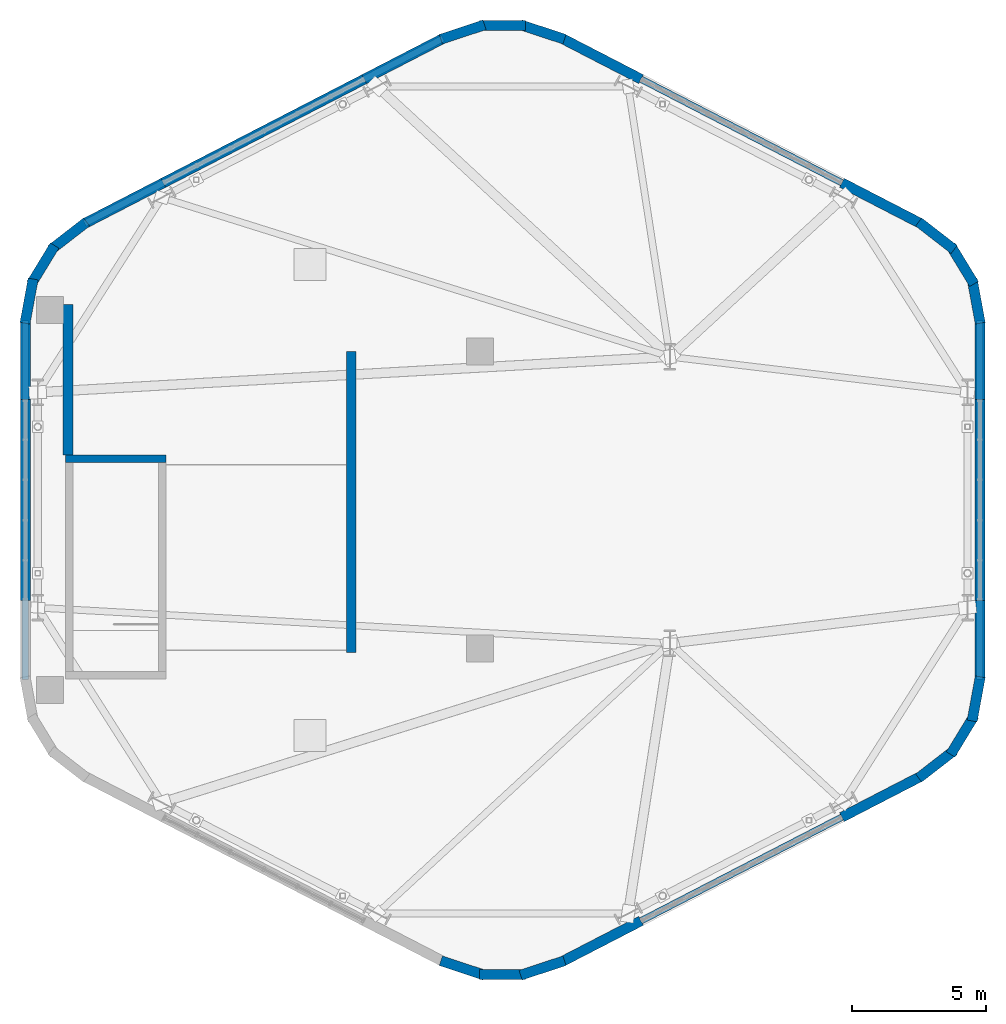
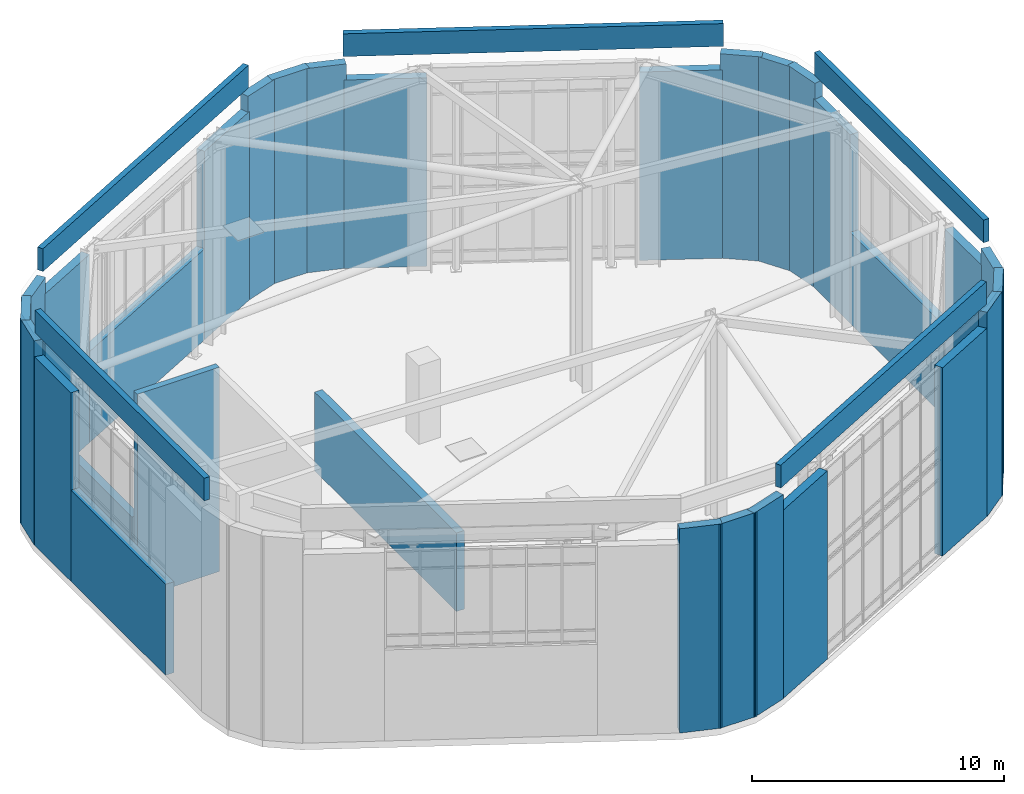
# One storey, part 22 of 23: 35 walls.
"""IFC4 building model written with IfcOpenShell, lengths in metres."""

from ifc_helpers import new_model, si_unit, direction, frame, frame_2d, origin, place, context, subcontext, project, spatial, rectangle, extrude, material, layer, layer_set, type_object, element, save


model = new_model("IFC4")

# Units and contexts
model_context = context("Model", 3, precision=1e-05, world=origin(), true_north=direction((0.0, 1.0)))
body_context = subcontext(model_context, "Body", "Model", "MODEL_VIEW")
ifc_project = project(units=[si_unit("LENGTHUNIT", "METRE"), si_unit("AREAUNIT", "SQUARE_METRE"), si_unit("VOLUMEUNIT", "CUBIC_METRE"), si_unit("PLANEANGLEUNIT", "RADIAN"), si_unit("MASSUNIT", "GRAM", prefix="KILO"), si_unit("THERMODYNAMICTEMPERATUREUNIT", "KELVIN"), si_unit("POWERUNIT", "WATT")], contexts=[model_context])

# Site, building, storey
site_placement = place(None, origin())
site = spatial("IfcSite", under=ifc_project, at=site_placement, CompositionType="ELEMENT")
building_placement = place(site_placement, origin())
building = spatial("IfcBuilding", under=site, at=building_placement, Name="Skarre Station Tower", CompositionType="ELEMENT")
storey_placement = place(building_placement, frame((0.0, 0.0, 291.300048828125)))
storey = spatial("IfcBuildingStorey", under=building, at=storey_placement, Name="RF", CompositionType="ELEMENT", Elevation=291.300048828125)

# Walls
ifc_material_1 = material(Name="Precast concrete C40/50", Category="concrete")
ifc_layer_1 = layer(ifc_material_1, 0.25, Name="Precast concrete C40/50")
ifc_layer_set_1 = layer_set([ifc_layer_1], Name="Precast concrete C40/50")
wall_type_1 = type_object("IfcWallType", Name="Insulated Precast Roof Parapet 250", PredefinedType="PARAPET", material=ifc_layer_set_1)
for number, where, z_axis, x_axis, name in (
    (1, (35.4208984375, 41.239013671875, 10.199951171875), (0.0, 0.0, 1.0), (0.888584888954, -0.458712213837, 0.0), "RF Crown Cap Roof Parapet F0 TOP +302.600"),
    (2, (17.58203125, 34.322998046875, 10.199951171875), (0.0, 0.0, 1.0), (0.888581481622, 0.458718814218, 0.0), "RF Crown Cap Roof Parapet F1 TOP +302.600"),
):
    element("IfcWall", number, at=place(storey_placement, frame(where, z_axis=z_axis, x_axis=x_axis)), inside=storey, type_object=wall_type_1, Name=name, PredefinedType="PARAPET", context=body_context, shape_type="SweptSolid", body=[
        extrude(rectangle(XDim=15.076904296875, YDim=0.25, at=frame_2d((7.53857421875, 0.0))), origin(), (0.0, 0.0, 1.0), 1.10009765625),
    ])
wall_1_placement = place(storey_placement, frame((15.376953125, 17.298095703125, 10.199951171875), z_axis=(0.0, 0.0, 1.0), x_axis=(0.0, 1.0, 0.0)))
element("IfcWall", 3, at=wall_1_placement, inside=storey, type_object=wall_type_1, Name="RF Crown Cap Roof Parapet F2 TOP +302.600", PredefinedType="PARAPET", context=body_context, shape_type="SweptSolid", body=[
    extrude(rectangle(XDim=13.40380859375, YDim=0.25, at=frame_2d((6.701904296875, 0.0))), origin(), (0.0, 0.0, 1.0), 1.10009765625),
])
wall_2_placement = place(storey_placement, frame((48.818115234375, 13.677001953125, 10.199951171875), z_axis=(0.0, 0.0, 1.0), x_axis=(-0.888584888954, -0.458712213837, 0.0)))
element("IfcWall", 4, at=wall_2_placement, inside=storey, type_object=wall_type_1, Name="RF Crown Cap Roof Parapet F4 TOP +302.600", PredefinedType="PARAPET", context=body_context, shape_type="SweptSolid", body=[
    extrude(rectangle(XDim=15.076904296875, YDim=0.25, at=frame_2d((7.53857421875, 0.0))), origin(), (0.0, 0.0, 1.0), 1.10009765625),
])
wall_3_placement = place(storey_placement, frame((51.02294921875, 30.701904296875, 10.199951171875), z_axis=(0.0, 0.0, 1.0), x_axis=(0.0, -1.0, 0.0)))
element("IfcWall", 5, at=wall_3_placement, inside=storey, type_object=wall_type_1, Name="RF Crown Cap Roof Parapet F5 TOP +302.600", PredefinedType="PARAPET", context=body_context, shape_type="SweptSolid", body=[
    extrude(rectangle(XDim=13.40380859375, YDim=0.25, at=frame_2d((6.701904296875, 0.0))), origin(), (0.0, 0.0, 1.0), 1.10009765625),
])
ifc_material_2 = material(Name="Precast concrete C50/60", Category="concrete")
ifc_layer_2 = layer(ifc_material_2, 0.3798828125, Name="Precast concrete C50/60")
ifc_layer_set_2 = layer_set([ifc_layer_2], Name="Precast concrete C50/60")
wall_type_2 = type_object("IfcWallType", Name="Nordic Pale Granite Crown Pier Wall 380", PredefinedType="STANDARD", material=ifc_layer_set_2)
for number, where, z_axis, x_axis, name in (
    (6, (35.4208984375, 41.239013671875, 0.0), (0.0, 0.0, 1.0), (0.888506439337, -0.458864149021, 0.0), "RF Crown Lantern Granite Pier F0A"),
    (7, (45.87109375, 35.844970703125, 0.0), (0.0, 0.0, 1.0), (0.888506439337, -0.458864149021, 0.0), "RF Crown Lantern Granite Pier F0B"),
):
    element("IfcWall", number, at=place(storey_placement, frame(where, z_axis=z_axis, x_axis=x_axis)), inside=storey, type_object=wall_type_2, Name=name, PredefinedType="STANDARD", context=body_context, shape_type="SweptSolid", body=[
        extrude(rectangle(XDim=3.31689453125, YDim=0.3798828125, at=frame_2d((1.658447265625, 0.0))), origin(), (0.0, 0.0, 1.0), 9.10986328125),
    ])
wall_4_placement = place(storey_placement, frame((48.737060546875, 34.382080078125, 0.0), z_axis=(0.0, 0.0, 1.0), x_axis=(0.790557752725, -0.612387491386, 0.0)))
element("IfcWall", 8, at=wall_4_placement, inside=storey, type_object=wall_type_2, Name="RF Crown Lantern Corner Pier F0-1", PredefinedType="STANDARD", context=body_context, shape_type="SweptSolid", body=[
    extrude(rectangle(XDim=1.67724609375, YDim=0.3798828125, at=frame_2d((0.838623046875, 0.0))), origin(), (0.0, 0.0, 1.0), 9.8798828125),
])
wall_5_placement = place(storey_placement, frame((49.931884765625, 33.501953125, 0.0), z_axis=(0.0, 0.0, 1.0), x_axis=(0.520325409202, -0.853968072318, 0.0)))
element("IfcWall", 9, at=wall_5_placement, inside=storey, type_object=wall_type_2, Name="RF Crown Lantern Corner Pier F0-2", PredefinedType="STANDARD", context=body_context, shape_type="SweptSolid", body=[
    extrude(rectangle(XDim=1.677978515625, YDim=0.3798828125, at=frame_2d((0.8388671875, 0.0))), origin(), (0.0, 0.0, 1.0), 9.8798828125),
])
wall_6_placement = place(storey_placement, frame((50.73388671875, 32.2529296875, 0.0), z_axis=(0.0, 0.0, 1.0), x_axis=(0.181421837137, -0.983405367593, 0.0)))
element("IfcWall", 10, at=wall_6_placement, inside=storey, type_object=wall_type_2, Name="RF Crown Lantern Corner Pier F0-3", PredefinedType="STANDARD", context=body_context, shape_type="SweptSolid", body=[
    extrude(rectangle(XDim=1.6767578125, YDim=0.3798828125, at=frame_2d((0.83837890625, 0.0))), origin(), (0.0, 0.0, 1.0), 9.8798828125),
])
for number, where, z_axis, x_axis, name in (
    (11, (17.58203125, 34.322998046875, 0.0), (0.0, 0.0, 1.0), (0.888506439337, 0.458864149021, 0.0), "RF Crown Lantern Granite Pier F1A"),
    (12, (28.031982421875, 39.717041015625, 0.0), (0.0, 0.0, 1.0), (0.888506439337, 0.458864149021, 0.0), "RF Crown Lantern Granite Pier F1B"),
):
    element("IfcWall", number, at=place(storey_placement, frame(where, z_axis=z_axis, x_axis=x_axis)), inside=storey, type_object=wall_type_2, Name=name, PredefinedType="STANDARD", context=body_context, shape_type="SweptSolid", body=[
        extrude(rectangle(XDim=3.31689453125, YDim=0.3798828125, at=frame_2d((1.658447265625, 0.0))), origin(), (0.0, 0.0, 1.0), 9.10986328125),
    ])
wall_7_placement = place(storey_placement, frame((20.529052734375, 35.844970703125, 0.0), z_axis=(0.0, 0.0, 1.0), x_axis=(0.888640424469, 0.458604618381, 0.0)))
element("IfcWall", 13, at=wall_7_placement, inside=storey, type_object=wall_type_2, Name="RF Crown Lantern Spandrel Wall F1", PredefinedType="STANDARD", context=body_context, shape_type="SweptSolid", body=[
    extrude(rectangle(XDim=8.443115234375, YDim=0.3798828125, at=frame_2d((4.2216796875, 0.0))), origin(), (0.0, 0.0, 1.0), 4.39990234375),
])
wall_8_placement = place(storey_placement, frame((30.889892578125, 41.20703125, 0.0), z_axis=(0.0, 0.0, 1.0), x_axis=(0.949713440491, 0.313120393699, 0.0)))
element("IfcWall", 14, at=wall_8_placement, inside=storey, type_object=wall_type_2, Name="RF Crown Lantern Corner Pier F1-1", PredefinedType="STANDARD", context=body_context, shape_type="SweptSolid", body=[
    extrude(rectangle(XDim=1.7216796875, YDim=0.3798828125, at=frame_2d((0.86083984375, 0.0))), origin(), (0.0, 0.0, 1.0), 9.8798828125),
])
wall_9_placement = place(storey_placement, frame((32.339111328125, 41.716064453125, 0.0), z_axis=(0.0, 0.0, 1.0), x_axis=(1.0, 0.0, 0.0)))
element("IfcWall", 15, at=wall_9_placement, inside=storey, type_object=wall_type_2, Name="RF Crown Lantern Corner Pier F1-2", PredefinedType="STANDARD", context=body_context, shape_type="SweptSolid", body=[
    extrude(rectangle(XDim=1.721923828125, YDim=0.3798828125, at=frame_2d((0.86083984375, 0.0))), origin(), (0.0, 0.0, 1.0), 9.8798828125),
])
wall_10_placement = place(storey_placement, frame((33.875, 41.74609375, 0.0), z_axis=(0.0, 0.0, 1.0), x_axis=(0.949713440491, -0.313120393699, 0.0)))
element("IfcWall", 16, at=wall_10_placement, inside=storey, type_object=wall_type_2, Name="RF Crown Lantern Corner Pier F1-3", PredefinedType="STANDARD", context=body_context, shape_type="SweptSolid", body=[
    extrude(rectangle(XDim=1.7216796875, YDim=0.3798828125, at=frame_2d((0.86083984375, 0.0))), origin(), (0.0, 0.0, 1.0), 9.8798828125),
])
wall_11_placement = place(storey_placement, frame((15.376953125, 27.7529296875, 0.0), z_axis=(0.0, 0.0, 1.0), x_axis=(0.0, 1.0, 0.0)))
element("IfcWall", 17, at=wall_11_placement, inside=storey, type_object=wall_type_2, Name="RF Crown Lantern Granite Pier F2B", PredefinedType="STANDARD", context=body_context, shape_type="SweptSolid", body=[
    extrude(rectangle(XDim=2.948974609375, YDim=0.3798828125, at=frame_2d((1.474609375, 0.0))), origin(), (0.0, 0.0, 1.0), 9.10986328125),
])
wall_12_placement = place(storey_placement, frame((15.376953125, 20.2470703125, 0.0), z_axis=(0.0, 0.0, 1.0), x_axis=(0.0, 1.0, 0.0)))
element("IfcWall", 18, at=wall_12_placement, inside=storey, type_object=wall_type_2, Name="RF Crown Lantern Spandrel Wall F2", PredefinedType="STANDARD", context=body_context, shape_type="SweptSolid", body=[
    extrude(rectangle(XDim=7.505859375, YDim=0.3798828125, at=frame_2d((3.7529296875, 0.0))), origin(), (0.0, 0.0, 1.0), 4.39990234375),
])
wall_13_placement = place(storey_placement, frame((15.362060546875, 30.60400390625, 0.0), z_axis=(0.0, 0.0, 1.0), x_axis=(0.181281020531, 0.983431335476, 0.0)))
element("IfcWall", 19, at=wall_13_placement, inside=storey, type_object=wall_type_2, Name="RF Crown Lantern Corner Pier F2-1", PredefinedType="STANDARD", context=body_context, shape_type="SweptSolid", body=[
    extrude(rectangle(XDim=1.6767578125, YDim=0.3798828125, at=frame_2d((0.83837890625, 0.0))), origin(), (0.0, 0.0, 1.0), 9.8798828125),
])
wall_14_placement = place(storey_placement, frame((15.594970703125, 32.069091796875, 0.0), z_axis=(0.0, 0.0, 1.0), x_axis=(0.520325409202, 0.853968072318, 0.0)))
element("IfcWall", 20, at=wall_14_placement, inside=storey, type_object=wall_type_2, Name="RF Crown Lantern Corner Pier F2-2", PredefinedType="STANDARD", context=body_context, shape_type="SweptSolid", body=[
    extrude(rectangle(XDim=1.677978515625, YDim=0.3798828125, at=frame_2d((0.8388671875, 0.0))), origin(), (0.0, 0.0, 1.0), 9.8798828125),
])
wall_15_placement = place(storey_placement, frame((16.3369140625, 33.35498046875, 0.0), z_axis=(0.0, 0.0, 1.0), x_axis=(0.790612332465, 0.61231702553, 0.0)))
element("IfcWall", 21, at=wall_15_placement, inside=storey, type_object=wall_type_2, Name="RF Crown Lantern Corner Pier F2-3", PredefinedType="STANDARD", context=body_context, shape_type="SweptSolid", body=[
    extrude(rectangle(XDim=1.677490234375, YDim=0.3798828125, at=frame_2d((0.8388671875, 0.0))), origin(), (0.0, 0.0, 1.0), 9.8798828125),
])
for number, where, z_axis, x_axis, name in (
    (22, (48.818115234375, 13.677001953125, 0.0), (0.0, 0.0, 1.0), (-0.888506439337, -0.458864149021, 0.0), "RF Crown Lantern Granite Pier F4A"),
    (23, (38.367919921875, 8.282958984375, 0.0), (0.0, 0.0, 1.0), (-0.888506439337, -0.458864149021, 0.0), "RF Crown Lantern Granite Pier F4B"),
):
    element("IfcWall", number, at=place(storey_placement, frame(where, z_axis=z_axis, x_axis=x_axis)), inside=storey, type_object=wall_type_2, Name=name, PredefinedType="STANDARD", context=body_context, shape_type="SweptSolid", body=[
        extrude(rectangle(XDim=3.31689453125, YDim=0.3798828125, at=frame_2d((1.658447265625, 0.0))), origin(), (0.0, 0.0, 1.0), 9.10986328125),
    ])
wall_16_placement = place(storey_placement, frame((35.510009765625, 6.79296875, 0.0), z_axis=(0.0, 0.0, 1.0), x_axis=(-0.949713440491, -0.313120393699, 0.0)))
element("IfcWall", 24, at=wall_16_placement, inside=storey, type_object=wall_type_2, Name="RF Crown Lantern Corner Pier F4-1", PredefinedType="STANDARD", context=body_context, shape_type="SweptSolid", body=[
    extrude(rectangle(XDim=1.7216796875, YDim=0.3798828125, at=frame_2d((0.86083984375, 0.0))), origin(), (0.0, 0.0, 1.0), 9.8798828125),
])
wall_17_placement = place(storey_placement, frame((34.06103515625, 6.283935546875, 0.0), z_axis=(0.0, 0.0, 1.0), x_axis=(-1.0, 0.0, 0.0)))
element("IfcWall", 25, at=wall_17_placement, inside=storey, type_object=wall_type_2, Name="RF Crown Lantern Corner Pier F4-2", PredefinedType="STANDARD", context=body_context, shape_type="SweptSolid", body=[
    extrude(rectangle(XDim=1.721923828125, YDim=0.3798828125, at=frame_2d((0.86083984375, 0.0))), origin(), (0.0, 0.0, 1.0), 9.8798828125),
])
wall_18_placement = place(storey_placement, frame((32.52490234375, 6.25390625, 0.0), z_axis=(0.0, 0.0, 1.0), x_axis=(-0.949713440491, 0.313120393699, 0.0)))
element("IfcWall", 26, at=wall_18_placement, inside=storey, type_object=wall_type_2, Name="RF Crown Lantern Corner Pier F4-3", PredefinedType="STANDARD", context=body_context, shape_type="SweptSolid", body=[
    extrude(rectangle(XDim=1.7216796875, YDim=0.3798828125, at=frame_2d((0.86083984375, 0.0))), origin(), (0.0, 0.0, 1.0), 9.8798828125),
])
for number, where, z_axis, x_axis, name in (
    (27, (51.02294921875, 30.701904296875, 0.0), (0.0, 0.0, 1.0), (0.0, -1.0, 0.0), "RF Crown Lantern Granite Pier F5A"),
    (28, (51.02294921875, 20.2470703125, 0.0), (0.0, 0.0, 1.0), (0.0, -1.0, 0.0), "RF Crown Lantern Granite Pier F5B"),
):
    element("IfcWall", number, at=place(storey_placement, frame(where, z_axis=z_axis, x_axis=x_axis)), inside=storey, type_object=wall_type_2, Name=name, PredefinedType="STANDARD", context=body_context, shape_type="SweptSolid", body=[
        extrude(rectangle(XDim=2.948974609375, YDim=0.3798828125, at=frame_2d((1.474609375, 0.0))), origin(), (0.0, 0.0, 1.0), 9.10986328125),
    ])
wall_19_placement = place(storey_placement, frame((51.02294921875, 27.7529296875, 0.0), z_axis=(0.0, 0.0, 1.0), x_axis=(0.0, -1.0, 0.0)))
element("IfcWall", 29, at=wall_19_placement, inside=storey, type_object=wall_type_2, Name="RF Crown Lantern Spandrel Wall F5", PredefinedType="STANDARD", context=body_context, shape_type="SweptSolid", body=[
    extrude(rectangle(XDim=7.505859375, YDim=0.3798828125, at=frame_2d((3.7529296875, 0.0))), origin(), (0.0, 0.0, 1.0), 4.39990234375),
])
wall_20_placement = place(storey_placement, frame((51.0380859375, 17.39599609375, 0.0), z_axis=(0.0, 0.0, 1.0), x_axis=(-0.181421837137, -0.983405367593, 0.0)))
element("IfcWall", 30, at=wall_20_placement, inside=storey, type_object=wall_type_2, Name="RF Crown Lantern Corner Pier F5-1", PredefinedType="STANDARD", context=body_context, shape_type="SweptSolid", body=[
    extrude(rectangle(XDim=1.6767578125, YDim=0.3798828125, at=frame_2d((0.83837890625, 0.0))), origin(), (0.0, 0.0, 1.0), 9.8798828125),
])
wall_21_placement = place(storey_placement, frame((50.804931640625, 15.930908203125, 0.0), z_axis=(0.0, 0.0, 1.0), x_axis=(-0.520325409202, -0.853968072318, 0.0)))
element("IfcWall", 31, at=wall_21_placement, inside=storey, type_object=wall_type_2, Name="RF Crown Lantern Corner Pier F5-2", PredefinedType="STANDARD", context=body_context, shape_type="SweptSolid", body=[
    extrude(rectangle(XDim=1.677978515625, YDim=0.3798828125, at=frame_2d((0.8388671875, 0.0))), origin(), (0.0, 0.0, 1.0), 9.8798828125),
])
wall_22_placement = place(storey_placement, frame((50.06298828125, 14.64501953125, 0.0), z_axis=(0.0, 0.0, 1.0), x_axis=(-0.790557752725, -0.612387491386, 0.0)))
element("IfcWall", 32, at=wall_22_placement, inside=storey, type_object=wall_type_2, Name="RF Crown Lantern Corner Pier F5-3", PredefinedType="STANDARD", context=body_context, shape_type="SweptSolid", body=[
    extrude(rectangle(XDim=1.67724609375, YDim=0.3798828125, at=frame_2d((0.838623046875, 0.0))), origin(), (0.0, 0.0, 1.0), 9.8798828125),
])
ifc_material_3 = material(Name="Concrete C50/60", Category="concrete")
ifc_layer_3 = layer(ifc_material_3, 0.280029296875, Name="Concrete C50/60")
ifc_layer_set_3 = layer_set([ifc_layer_3], Name="Concrete C50/60")
wall_type_3 = type_object("IfcWallType", Name="RC Core Shear Wall 280", PredefinedType="SHEAR", material=ifc_layer_set_3)
wall_23_placement = place(storey_placement, frame((20.6298828125, 25.5400390625, 0.0), z_axis=(0.0, 0.0, 1.0), x_axis=(-1.0, 0.0, 0.0)))
element("IfcWall", 33, at=wall_23_placement, inside=storey, type_object=wall_type_3, Name="RF Stair ST-1 North Shear Wall", PredefinedType="SHEAR", context=body_context, shape_type="SweptSolid", body=[
    extrude(rectangle(XDim=3.759765625, YDim=0.280029296875, at=frame_2d((1.8798828125, 0.0))), origin(), (0.0, 0.0, 1.0), 9.8798828125),
])
ifc_layer_4 = layer(ifc_material_3, 0.360107421875, Name="Concrete C50/60")
ifc_layer_set_4 = layer_set([ifc_layer_4], Name="Concrete C50/60")
wall_type_4 = type_object("IfcWallType", Name="RC Core Shear Wall 360", PredefinedType="SHEAR", material=ifc_layer_set_4)
wall_24_placement = place(storey_placement, frame((16.969970703125, 25.679931640625, 0.0), z_axis=(0.0, 0.0, 1.0), x_axis=(0.0, 1.0, 0.0)))
element("IfcWall", 34, at=wall_24_placement, inside=storey, type_object=wall_type_4, Name="RF Core West-North Shear Wall", PredefinedType="SHEAR", context=body_context, shape_type="SweptSolid", body=[
    extrude(rectangle(XDim=5.6201171875, YDim=0.360107421875, at=frame_2d((2.81005859375, 0.0))), origin(), (0.0, 0.0, 1.0), 3.800048828125),
])
wall_25_placement = place(storey_placement, frame((27.550048828125, 29.550048828125, 0.0), z_axis=(0.0, 0.0, 1.0), x_axis=(0.0, -1.0, 0.0)))
element("IfcWall", 35, at=wall_25_placement, inside=storey, type_object=wall_type_4, Name="RF Core East Atrium Shear Wall", PredefinedType="SHEAR", context=body_context, shape_type="SweptSolid", body=[
    extrude(rectangle(XDim=11.25, YDim=0.360107421875, at=frame_2d((5.625, 0.0))), origin(), (0.0, 0.0, 1.0), 3.800048828125),
])

save(model, "model.ifc")
